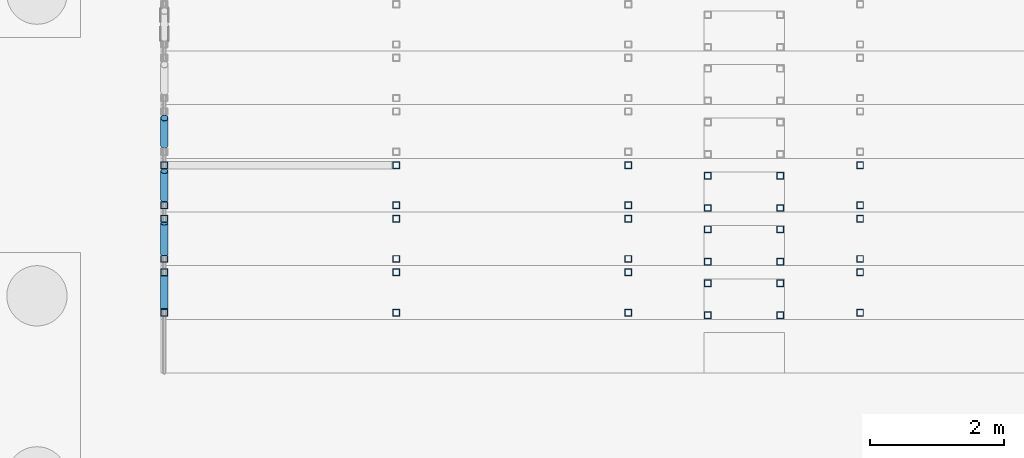
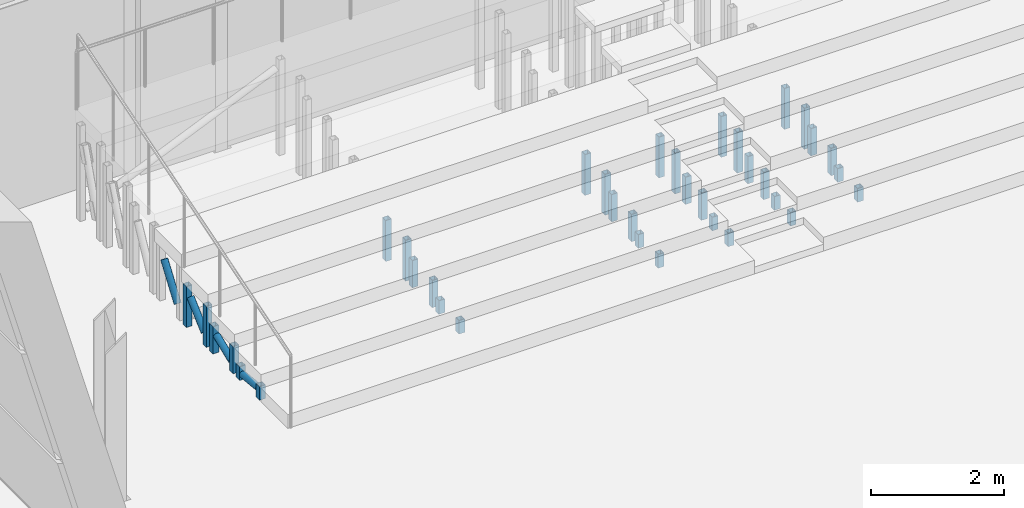
# One storey, part 66 of 139: 40 members.
"""IFC4 building model written with IfcOpenShell, lengths in metres."""

from ifc_helpers import new_model, si_unit, direction, frame, origin, origin_2d, place, context, subcontext, project, spatial, hollow_rectangle, hollow_circle, extrude, material, material_profile, profile_set, type_object, element, save


model = new_model("IFC4")

# Units and contexts
model_context = context("Model", 3, precision=1e-05, world=origin(), true_north=direction((0.0, 1.0)))
body_context = subcontext(model_context, "Body", "Model", "MODEL_VIEW")
ifc_project = project(units=[si_unit("LENGTHUNIT", "METRE"), si_unit("AREAUNIT", "SQUARE_METRE"), si_unit("VOLUMEUNIT", "CUBIC_METRE"), si_unit("PLANEANGLEUNIT", "RADIAN"), si_unit("MASSUNIT", "GRAM", prefix="KILO")], contexts=[model_context])

# Site, building, storey
site_placement = place(None, origin())
site = spatial("IfcSite", under=ifc_project, at=site_placement, CompositionType="ELEMENT")
building_placement = place(site_placement, origin())
building = spatial("IfcBuilding", under=site, at=building_placement, Name="Verrick Yard Athletic Hall", CompositionType="ELEMENT")
storey_placement = place(building_placement, origin())
storey = spatial("IfcBuildingStorey", under=building, at=storey_placement, Name="L00", CompositionType="ELEMENT", Elevation=0.0)

# Members
ifc_material = material(Name="Structural steel HSS Class C 350W (CSA G40.20/G40.21)", Category="steel")
ifc_material_profile_1 = material_profile(ifc_material, hollow_circle(Radius=0.05712890625, WallThickness=0.00634765625, at=origin_2d()), Name="HSS114x6.4")
ifc_profile_set_1 = profile_set([ifc_material_profile_1], Name="Structural steel HSS Class C 350W (CSA G40.20/G40.21)")
member_type_1 = type_object("IfcMemberType", Name="HB roof brace HSS114x6.4", PredefinedType="BRACE", material=ifc_profile_set_1)
member_1_placement = place(storey_placement, frame((124.850830078125, 94.756591796875, 0.1494140625), z_axis=(0.0, 0.995007502445, -0.099800150697), x_axis=(-1.0, 0.0, 0.0)))
element("IfcMember", 1, at=member_1_placement, inside=storey, type_object=member_type_1, Name="HB-BRS-RSA1-a2", PredefinedType="BRACE", context=body_context, shape_type="SweptSolid", body=[
    extrude(hollow_circle(Radius=0.05712890625, WallThickness=0.00634765625, at=origin_2d()), origin(), (0.0, 0.0, 1.0), 0.4892578125),
])
member_2_placement = place(storey_placement, frame((124.850830078125, 95.572021484375, 0.158447265625), z_axis=(0.0, 0.927927248066, 0.372761347643), x_axis=(-1.0, 0.0, 0.0)))
element("IfcMember", 2, at=member_2_placement, inside=storey, type_object=member_type_1, Name="HB-BRS-RSA1-a3", PredefinedType="BRACE", context=body_context, shape_type="SweptSolid", body=[
    extrude(hollow_circle(Radius=0.05712890625, WallThickness=0.00634765625, at=origin_2d()), origin(), (0.0, 0.0, 1.0), 0.4912109375),
])
member_3_placement = place(storey_placement, frame((124.850830078125, 96.38916015625, 0.1845703125), z_axis=(0.0, 0.74207506315, 0.670316791264), x_axis=(-1.0, 0.0, 0.0)))
element("IfcMember", 3, at=member_3_placement, inside=storey, type_object=member_type_1, Name="HB-BRS-RSA1-a4", PredefinedType="BRACE", context=body_context, shape_type="SweptSolid", body=[
    extrude(hollow_circle(Radius=0.05712890625, WallThickness=0.00634765625, at=origin_2d()), origin(), (0.0, 0.0, 1.0), 0.568115234375),
])
member_4_placement = place(storey_placement, frame((124.850830078125, 97.197265625, 0.21533203125), z_axis=(0.0, 0.579915574344, 0.814676577934), x_axis=(-1.0, 0.0, 0.0)))
element("IfcMember", 4, at=member_4_placement, inside=storey, type_object=member_type_1, Name="HB-BRS-RSA1-a5", PredefinedType="BRACE", context=body_context, shape_type="SweptSolid", body=[
    extrude(hollow_circle(Radius=0.05712890625, WallThickness=0.00634765625, at=origin_2d()), origin(), (0.0, 0.0, 1.0), 0.69873046875),
])
ifc_material_profile_2 = material_profile(ifc_material, hollow_rectangle(XDim=0.1015625, YDim=0.1015625, WallThickness=0.00634765625, at=origin_2d()), Name="HSS102x102x6.4")
ifc_profile_set_2 = profile_set([ifc_material_profile_2], Name="Structural steel HSS Class C 350W (CSA G40.20/G40.21)")
member_type_2 = type_object("IfcMemberType", Name="HB seating post HSS102x102x6.4", PredefinedType="POST", material=ifc_profile_set_2)
for number, where, z_axis, x_axis, name in (
    (5, (132.956298828125, 94.659912109375, 0.0), (0.0, 0.0, 1.0), (0.0, 1.0, 0.0), "HB-SP-RSA1-A1S2a"),
    (6, (134.036376953125, 94.659912109375, 0.0), (0.0, 0.0, 1.0), (0.0, 1.0, 0.0), "HB-SP-RSA1-A1S2b"),
    (7, (132.956298828125, 95.139892578125, 0.0), (0.0, 0.0, 1.0), (0.0, 1.0, 0.0), "HB-SP-RSA1-A1S2c"),
    (8, (134.036376953125, 95.139892578125, 0.0), (0.0, 0.0, 1.0), (0.0, 1.0, 0.0), "HB-SP-RSA1-A1S2d"),
    (9, (124.850830078125, 94.699951171875, 0.0), (0.0, 0.0, 1.0), (0.0, 1.0, 0.0), "HB-SP-RSA1-T2f1"),
    (10, (128.30908203125, 94.699951171875, 0.0), (0.0, 0.0, 1.0), (0.0, 1.0, 0.0), "HB-SP-RSA1-T2f2"),
    (11, (131.76708984375, 94.699951171875, 0.0), (0.0, 0.0, 1.0), (0.0, 1.0, 0.0), "HB-SP-RSA1-T2f3"),
    (12, (135.225341796875, 94.699951171875, 0.0), (0.0, 0.0, 1.0), (0.0, 1.0, 0.0), "HB-SP-RSA1-T2f4"),
    (13, (124.850830078125, 95.300048828125, 0.0), (0.0, 0.0, 1.0), (0.0, 1.0, 0.0), "HB-SP-RSA1-T2b1"),
    (14, (128.30908203125, 95.300048828125, 0.0), (0.0, 0.0, 1.0), (0.0, 1.0, 0.0), "HB-SP-RSA1-T2b2"),
    (15, (131.76708984375, 95.300048828125, 0.0), (0.0, 0.0, 1.0), (0.0, 1.0, 0.0), "HB-SP-RSA1-T2b3"),
    (16, (135.225341796875, 95.300048828125, 0.0), (0.0, 0.0, 1.0), (0.0, 1.0, 0.0), "HB-SP-RSA1-T2b4"),
):
    element("IfcMember", number, at=place(storey_placement, frame(where, z_axis=z_axis, x_axis=x_axis)), inside=storey, type_object=member_type_2, Name=name, PredefinedType="POST", context=body_context, shape_type="SweptSolid", body=[
        extrude(hollow_rectangle(XDim=0.1015625, YDim=0.1015625, WallThickness=0.00634765625, at=origin_2d()), origin(), (0.0, 0.0, 1.0), 0.25),
    ])
for number, where, z_axis, x_axis, name in (
    (17, (132.956298828125, 95.4599609375, 0.0), (0.0, 0.0, 1.0), (0.0, 1.0, 0.0), "HB-SP-RSA1-A1S3a"),
    (18, (134.036376953125, 95.4599609375, 0.0), (0.0, 0.0, 1.0), (0.0, 1.0, 0.0), "HB-SP-RSA1-A1S3b"),
    (19, (132.956298828125, 95.93994140625, 0.0), (0.0, 0.0, 1.0), (0.0, 1.0, 0.0), "HB-SP-RSA1-A1S3c"),
    (20, (134.036376953125, 95.93994140625, 0.0), (0.0, 0.0, 1.0), (0.0, 1.0, 0.0), "HB-SP-RSA1-A1S3d"),
    (21, (124.850830078125, 95.5, 0.0), (0.0, 0.0, 1.0), (0.0, 1.0, 0.0), "HB-SP-RSA1-T3f1"),
    (22, (128.30908203125, 95.5, 0.0), (0.0, 0.0, 1.0), (0.0, 1.0, 0.0), "HB-SP-RSA1-T3f2"),
    (23, (131.76708984375, 95.5, 0.0), (0.0, 0.0, 1.0), (0.0, 1.0, 0.0), "HB-SP-RSA1-T3f3"),
    (24, (135.225341796875, 95.5, 0.0), (0.0, 0.0, 1.0), (0.0, 1.0, 0.0), "HB-SP-RSA1-T3f4"),
    (25, (124.850830078125, 96.10009765625, 0.0), (0.0, 0.0, 1.0), (0.0, 1.0, 0.0), "HB-SP-RSA1-T3b1"),
    (26, (128.30908203125, 96.10009765625, 0.0), (0.0, 0.0, 1.0), (0.0, 1.0, 0.0), "HB-SP-RSA1-T3b2"),
    (27, (131.76708984375, 96.10009765625, 0.0), (0.0, 0.0, 1.0), (0.0, 1.0, 0.0), "HB-SP-RSA1-T3b3"),
    (28, (135.225341796875, 96.10009765625, 0.0), (0.0, 0.0, 1.0), (0.0, 1.0, 0.0), "HB-SP-RSA1-T3b4"),
):
    element("IfcMember", number, at=place(storey_placement, frame(where, z_axis=z_axis, x_axis=x_axis)), inside=storey, type_object=member_type_2, Name=name, PredefinedType="POST", context=body_context, shape_type="SweptSolid", body=[
        extrude(hollow_rectangle(XDim=0.1015625, YDim=0.1015625, WallThickness=0.00634765625, at=origin_2d()), origin(), (0.0, 0.0, 1.0), 0.5),
    ])
for number, where, z_axis, x_axis, name in (
    (29, (132.956298828125, 96.260009765625, 0.0), (0.0, 0.0, 1.0), (0.0, 1.0, 0.0), "HB-SP-RSA1-A1S4a"),
    (30, (134.036376953125, 96.260009765625, 0.0), (0.0, 0.0, 1.0), (0.0, 1.0, 0.0), "HB-SP-RSA1-A1S4b"),
    (31, (132.956298828125, 96.739990234375, 0.0), (0.0, 0.0, 1.0), (0.0, 1.0, 0.0), "HB-SP-RSA1-A1S4c"),
    (32, (134.036376953125, 96.739990234375, 0.0), (0.0, 0.0, 1.0), (0.0, 1.0, 0.0), "HB-SP-RSA1-A1S4d"),
    (33, (124.850830078125, 96.300048828125, 0.0), (0.0, 0.0, 1.0), (0.0, 1.0, 0.0), "HB-SP-RSA1-T4f1"),
    (34, (128.30908203125, 96.300048828125, 0.0), (0.0, 0.0, 1.0), (0.0, 1.0, 0.0), "HB-SP-RSA1-T4f2"),
    (35, (131.76708984375, 96.300048828125, 0.0), (0.0, 0.0, 1.0), (0.0, 1.0, 0.0), "HB-SP-RSA1-T4f3"),
    (36, (135.225341796875, 96.300048828125, 0.0), (0.0, 0.0, 1.0), (0.0, 1.0, 0.0), "HB-SP-RSA1-T4f4"),
    (37, (124.850830078125, 96.89990234375, 0.0), (0.0, 0.0, 1.0), (0.0, 1.0, 0.0), "HB-SP-RSA1-T4b1"),
    (38, (128.30908203125, 96.89990234375, 0.0), (0.0, 0.0, 1.0), (0.0, 1.0, 0.0), "HB-SP-RSA1-T4b2"),
    (39, (131.76708984375, 96.89990234375, 0.0), (0.0, 0.0, 1.0), (0.0, 1.0, 0.0), "HB-SP-RSA1-T4b3"),
    (40, (135.225341796875, 96.89990234375, 0.0), (0.0, 0.0, 1.0), (0.0, 1.0, 0.0), "HB-SP-RSA1-T4b4"),
):
    element("IfcMember", number, at=place(storey_placement, frame(where, z_axis=z_axis, x_axis=x_axis)), inside=storey, type_object=member_type_2, Name=name, PredefinedType="POST", context=body_context, shape_type="SweptSolid", body=[
        extrude(hollow_rectangle(XDim=0.1015625, YDim=0.1015625, WallThickness=0.00634765625, at=origin_2d()), origin(), (0.0, 0.0, 1.0), 0.75),
    ])

save(model, "model.ifc")
